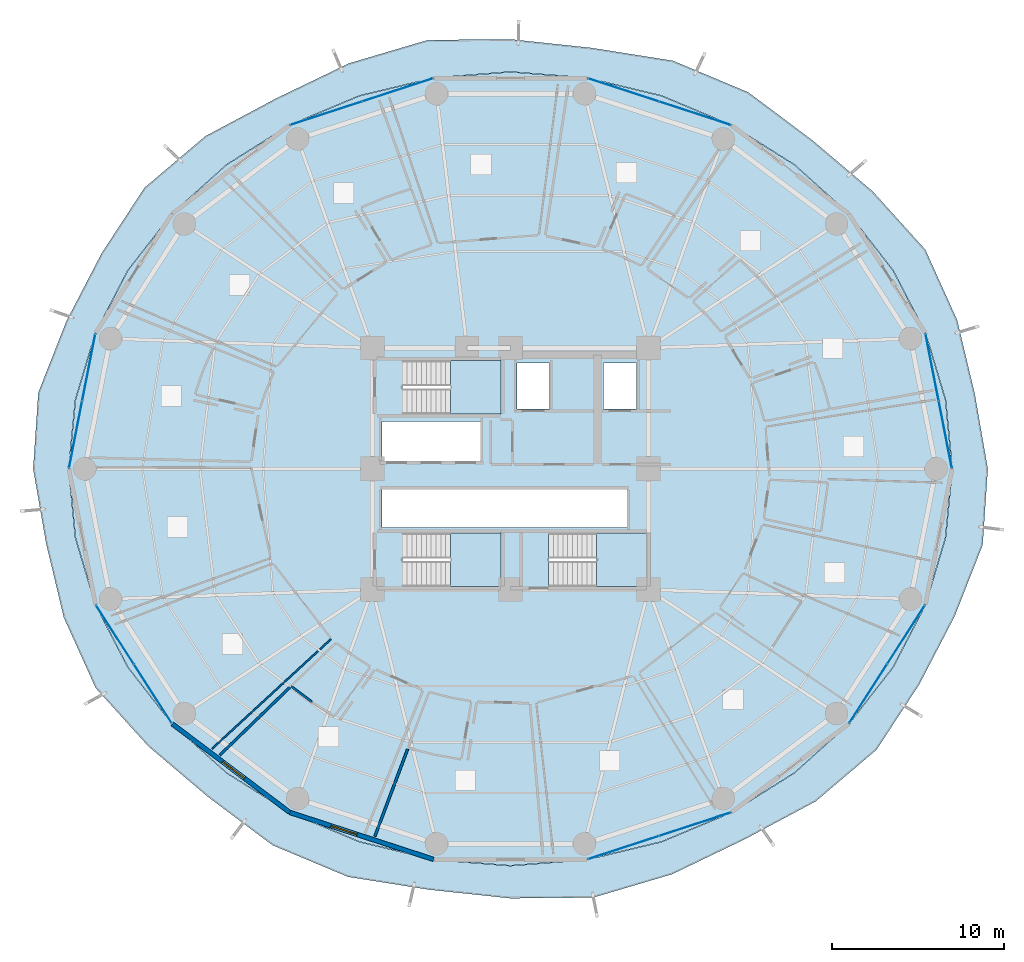
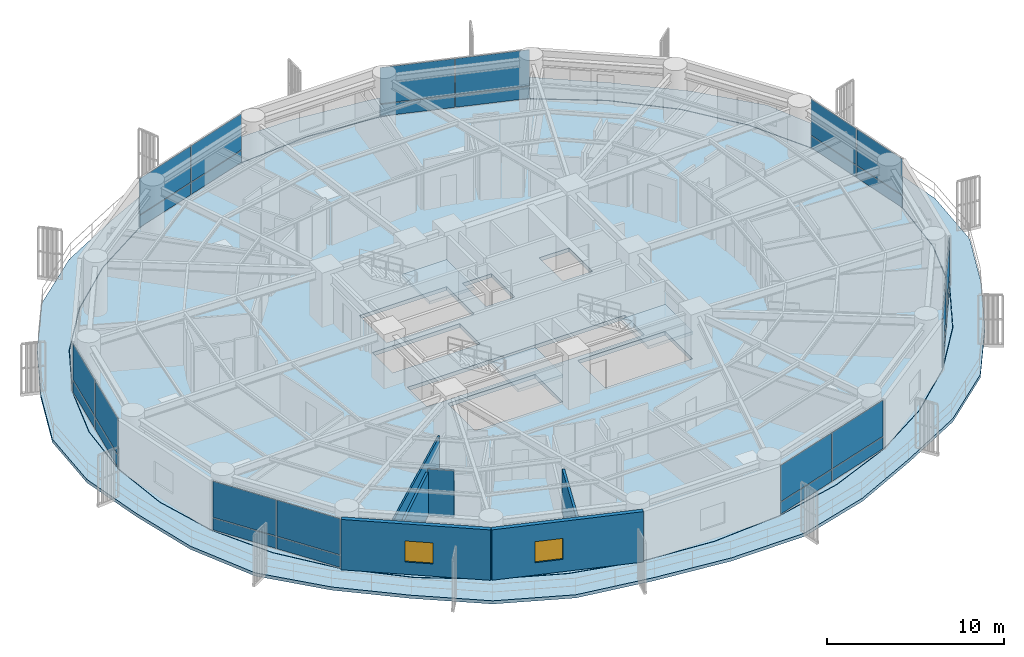
# One storey, part 24 of 33: 28 plates, 6 walls, 5 slabs, 2 windows, 2 openings, 10 elements without a shape of their own.
"""IFC4 building model written with IfcOpenShell, lengths in metres."""

from ifc_helpers import new_model, si_unit, direction, frame, frame_2d, origin, origin_2d, place, context, subcontext, project, spatial, polyline, rectangle, outline, extrude, source, transform, mapped, material, layer, layer_set, type_object, element, fill, aggregate, save


model = new_model("IFC4")

# Units and contexts
model_context = context("Model", 3, precision=1e-05, world=origin(), true_north=direction((0.0, 1.0)))
body_context = subcontext(model_context, "Body", "Model", "MODEL_VIEW")
ifc_project = project(units=[si_unit("LENGTHUNIT", "METRE"), si_unit("AREAUNIT", "SQUARE_METRE"), si_unit("VOLUMEUNIT", "CUBIC_METRE"), si_unit("PLANEANGLEUNIT", "RADIAN"), si_unit("MASSUNIT", "GRAM", prefix="KILO")], contexts=[model_context])

# Site, building, storey
site_placement = place(None, origin())
site = spatial("IfcSite", under=ifc_project, at=site_placement, CompositionType="ELEMENT")
building_placement = place(site_placement, origin())
building = spatial("IfcBuilding", under=site, at=building_placement, Name="Kelanora Arch Commons", CompositionType="ELEMENT")
storey_placement = place(building_placement, frame((0.0, 0.0, 80.10009765625)))
storey = spatial("IfcBuildingStorey", under=building, at=storey_placement, Name="L20", CompositionType="ELEMENT", Elevation=80.10009765625)

# Stair, slab
ifc_material_1 = material(Name="Concrete C40/50", Category="concrete")
stair_type = type_object("IfcStairType", Name="STR-DL-375", PredefinedType="HALF_TURN_STAIR", material=ifc_material_1)
stair_1_placement = place(storey_placement, origin())
stair_1 = element("IfcStair", 1, at=stair_1_placement, inside=storey, type_object=stair_type, Name="L20 ST-T1", PredefinedType="HALF_TURN_STAIR")
ifc_layer_1 = layer(ifc_material_1, 0.199951171875)
ifc_layer_set_1 = layer_set([ifc_layer_1], Name="Concrete C40/50")
slab_type_1 = type_object("IfcSlabType", Name="SLB-STAIR-LND", PredefinedType="LANDING", material=ifc_layer_set_1)
slab_1_placement = place(storey_placement, frame((0.0, 0.0, 1.6748046875)))
slab_1 = element("IfcSlab", 2, at=slab_1_placement, type_object=slab_type_1, Name="ST-T1 landing 1", PredefinedType="LANDING", context=body_context, shape_type="SweptSolid", body=[
    extrude(outline(polyline([(70.52001953125, 61.179931640625), (73.43994140625, 61.179931640625), (73.43994140625, 64.2900390625), (70.52001953125, 64.2900390625), (70.52001953125, 61.179931640625)])), origin(), (0.0, 0.0, 1.0), 0.2001953125),
])
aggregate(stair_1, [slab_1])

stair_2_placement = place(storey_placement, origin())
stair_2 = element("IfcStair", 3, at=stair_2_placement, inside=storey, type_object=stair_type, Name="L20 ST-T2", PredefinedType="HALF_TURN_STAIR")
slab_2_placement = place(storey_placement, frame((0.0, 0.0, 1.6748046875)))
slab_2 = element("IfcSlab", 4, at=slab_2_placement, type_object=slab_type_1, Name="ST-T2 landing 1", PredefinedType="LANDING", context=body_context, shape_type="SweptSolid", body=[
    extrude(outline(polyline([(79.0, 51.179931640625), (81.919921875, 51.179931640625), (81.919921875, 54.2900390625), (79.0, 54.2900390625), (79.0, 51.179931640625)])), origin(), (0.0, 0.0, 1.0), 0.2001953125),
])
aggregate(stair_2, [slab_2])

stair_3_placement = place(storey_placement, origin())
stair_3 = element("IfcStair", 5, at=stair_3_placement, inside=storey, type_object=stair_type, Name="L20 ST-T3", PredefinedType="HALF_TURN_STAIR")
slab_3_placement = place(storey_placement, frame((0.0, 0.0, 1.6748046875)))
slab_3 = element("IfcSlab", 6, at=slab_3_placement, type_object=slab_type_1, Name="ST-T3 landing 1", PredefinedType="LANDING", context=body_context, shape_type="SweptSolid", body=[
    extrude(outline(polyline([(70.52001953125, 51.179931640625), (73.43994140625, 51.179931640625), (73.43994140625, 54.2900390625), (70.52001953125, 54.2900390625), (70.52001953125, 51.179931640625)])), origin(), (0.0, 0.0, 1.0), 0.2001953125),
])
aggregate(stair_3, [slab_3])

# Slabs
ifc_layer_2 = layer(ifc_material_1, 0.260009765625)
ifc_layer_set_2 = layer_set([ifc_layer_2], Name="Concrete C40/50")
slab_type_2 = type_object("IfcSlabType", Name="SLB-TWR-TYP", PredefinedType="FLOOR", material=ifc_layer_set_2)
slab_4_placement = place(storey_placement, frame((0.0, 0.0, -0.260009765625)))
element("IfcSlab", 7, at=slab_4_placement, inside=storey, type_object=slab_type_2, Name="Tower Floor Slab L20", PredefinedType="FLOOR", context=body_context, shape_type="SweptSolid", body=[
    extrude(outline(polyline([(99.60009765625, 58.0), (99.211181640625, 61.993896484375), (98.05615234375, 65.866455078125), (96.17041015625, 69.5), (93.610595703125, 72.7841796875), (90.455322265625, 75.618896484375), (86.800048828125, 77.918701171875), (82.755615234375, 79.61279296875), (78.4453125, 80.650634765625), (74.0, 81.0), (69.5546875, 80.650634765625), (65.244384765625, 79.61279296875), (61.199951171875, 77.918701171875), (57.544677734375, 75.618896484375), (54.389404296875, 72.7841796875), (51.82958984375, 69.5), (49.94384765625, 65.866455078125), (48.788818359375, 61.993896484375), (48.39990234375, 58.0), (48.788818359375, 54.006103515625), (49.94384765625, 50.133544921875), (51.82958984375, 46.5), (54.389404296875, 43.2158203125), (57.544677734375, 40.381103515625), (61.199951171875, 38.081298828125), (65.244384765625, 36.38720703125), (69.5546875, 35.349365234375), (74.0, 35.0), (78.4453125, 35.349365234375), (82.755615234375, 36.38720703125), (86.800048828125, 38.081298828125), (90.455322265625, 40.381103515625), (93.610595703125, 43.2158203125), (96.17041015625, 46.5), (98.05615234375, 50.133544921875), (99.211181640625, 54.006103515625), (99.60009765625, 58.0)]), holes=[polyline([(73.431884765625, 51.18798828125), (67.72802734375, 51.18798828125), (67.72802734375, 54.281982421875), (73.431884765625, 54.281982421875), (73.431884765625, 51.18798828125)]), polyline([(76.2080078125, 51.18798828125), (76.2080078125, 54.281982421875), (81.912109375, 54.281982421875), (81.912109375, 51.18798828125), (76.2080078125, 51.18798828125)]), polyline([(66.550048828125, 54.60009765625), (66.550048828125, 56.800048828125), (80.75, 56.800048828125), (80.75, 54.60009765625), (66.550048828125, 54.60009765625)]), polyline([(66.550048828125, 58.449951171875), (66.550048828125, 60.75), (72.25, 60.75), (72.25, 58.449951171875), (66.550048828125, 58.449951171875)]), polyline([(67.72802734375, 61.18798828125), (67.72802734375, 64.281982421875), (73.431884765625, 64.281982421875), (73.431884765625, 61.18798828125), (67.72802734375, 61.18798828125)]), polyline([(74.3798828125, 61.47998046875), (74.3798828125, 64.1201171875), (76.260009765625, 64.1201171875), (76.260009765625, 61.47998046875), (74.3798828125, 61.47998046875)]), polyline([(79.3798828125, 61.47998046875), (79.3798828125, 64.1201171875), (81.320068359375, 64.1201171875), (81.320068359375, 61.47998046875), (79.3798828125, 61.47998046875)])]), origin(), (0.0, 0.0, 1.0), 0.260009765625),
])
ifc_layer_3 = layer(ifc_material_1, 0.219970703125)
ifc_layer_set_3 = layer_set([ifc_layer_3], Name="Concrete C40/50")
slab_type_3 = type_object("IfcSlabType", Name="SLB-WAVE-BAL", PredefinedType="FLOOR", material=ifc_layer_set_3)
slab_5_placement = place(storey_placement, frame((0.0, 0.0, -0.22021484375)))
element("IfcSlab", 8, at=slab_5_placement, inside=storey, type_object=slab_type_3, Name="Sinusoidal Wave Balcony Slab L20", PredefinedType="FLOOR", context=body_context, shape_type="SweptSolid", body=[
    extrude(outline(polyline([(101.67236328125, 58.0), (100.919189453125, 62.3291015625), (99.897705078125, 66.612548828125), (98.048828125, 70.707275390625), (95.000244140625, 74.081787109375), (91.52099609375, 77.03271484375), (87.788818359375, 79.824951171875), (83.423095703125, 81.654296875), (78.722412109375, 82.399169921875), (74.0, 82.9013671875), (69.205078125, 82.856201171875), (64.626708984375, 81.50146484375), (60.3984375, 79.4638671875), (56.297119140625, 77.27392578125), (52.77880859375, 74.2880859375), (50.29345703125, 70.4873046875), (48.251220703125, 66.55224609375), (46.626708984375, 62.418212890625), (46.32763671875, 58.0), (47.080810546875, 53.6708984375), (48.102294921875, 49.387451171875), (49.951171875, 45.292724609375), (52.999755859375, 41.918212890625), (56.47900390625, 38.96728515625), (60.211181640625, 36.175048828125), (64.576904296875, 34.345703125), (69.277587890625, 33.600830078125), (74.0, 33.0986328125), (78.794921875, 33.143798828125), (83.373291015625, 34.49853515625), (87.6015625, 36.5361328125), (91.702880859375, 38.72607421875), (95.22119140625, 41.7119140625), (97.70654296875, 45.5126953125), (99.748779296875, 49.44775390625), (101.373291015625, 53.581787109375), (101.67236328125, 58.0)]), holes=[polyline([(99.230712890625, 54.002685546875), (98.074951171875, 50.126708984375), (96.1875, 46.489990234375), (93.626220703125, 43.202880859375), (90.46826171875, 40.36572265625), (86.81005859375, 38.064208984375), (82.7626953125, 36.368408203125), (78.448974609375, 35.32958984375), (74.0, 34.97998046875), (69.551025390625, 35.32958984375), (65.2373046875, 36.368408203125), (61.18994140625, 38.064208984375), (57.53173828125, 40.36572265625), (54.373779296875, 43.202880859375), (51.8125, 46.489990234375), (49.925048828125, 50.126708984375), (48.769287109375, 54.002685546875), (48.3798828125, 58.0), (48.769287109375, 61.997314453125), (49.925048828125, 65.873291015625), (51.8125, 69.510009765625), (54.373779296875, 72.797119140625), (57.53173828125, 75.63427734375), (61.18994140625, 77.935791015625), (65.2373046875, 79.631591796875), (69.551025390625, 80.67041015625), (74.0, 81.02001953125), (78.448974609375, 80.67041015625), (82.7626953125, 79.631591796875), (86.81005859375, 77.935791015625), (90.46826171875, 75.63427734375), (93.626220703125, 72.797119140625), (96.1875, 69.510009765625), (98.074951171875, 65.873291015625), (99.230712890625, 61.997314453125), (99.6201171875, 58.0), (99.230712890625, 54.002685546875)])]), origin(), (0.0, 0.0, 1.0), 0.22021484375),
])

# Curtain wall, plates
ifc_material_2 = material(Name="Terracotta ceramic-fritted low-E glass and aluminium", Category="masonry")
ifc_layer_4 = layer(ifc_material_2, 0.159912109375)
ifc_layer_set_4 = layer_set([ifc_layer_4], Name="Terracotta ceramic-fritted low-E glass and aluminium")
curtain_wall_type = type_object("IfcCurtainWallType", Name="CW-SYS-01", PredefinedType="NOTDEFINED", material=ifc_layer_set_4)
curtain_wall_1_placement = place(storey_placement, origin())
curtain_wall_1 = element("IfcCurtainWall", 9, at=curtain_wall_1_placement, inside=storey, type_object=curtain_wall_type, Name="Unitised Curtain Wall L20-B00", PredefinedType="NOTDEFINED")
ifc_material_3 = material(Name="Terracotta ceramic-fritted double glazing", Category="masonry")
ifc_layer_5 = layer(ifc_material_3, 0.028076171875)
ifc_layer_set_5 = layer_set([ifc_layer_5], Name="Terracotta ceramic-fritted double glazing")
plate_type = type_object("IfcPlateType", Name="CWP-FRIT", PredefinedType="CURTAIN_PANEL", material=ifc_layer_set_5)
shared_shape_1 = source(origin(), body_context, "Body", "SweptSolid", [
    extrude(rectangle(XDim=3.9033203125, YDim=0.028076171875, at=origin_2d()), origin(), (0.0, 0.0, 1.0), 0.81005859375),
])
plate_1_placement = place(storey_placement, frame((99.209716796875, 59.98876953125, 0.059814453125), z_axis=(0.0, 0.0, 1.0), x_axis=(-0.192584916272, 0.981280311646, 0.0)))
plate_1 = element("IfcPlate", 10, at=plate_1_placement, type_object=plate_type, Name="CW-01 panel 1.1", PredefinedType="CURTAIN_PANEL", context=body_context, shape_type="MappedRepresentation", body=[
    mapped(shared_shape_1, transform((0.0, 0.0, 0.0), scale=1.0)),
])
plate_2_placement = place(storey_placement, frame((98.446533203125, 63.877685546875, 0.059814453125), z_axis=(0.0, 0.0, 1.0), x_axis=(-0.192584916272, 0.981280311646, 0.0)))
plate_2 = element("IfcPlate", 11, at=plate_2_placement, type_object=plate_type, Name="CW-01 panel 2.1", PredefinedType="CURTAIN_PANEL", context=body_context, shape_type="MappedRepresentation", body=[
    mapped(shared_shape_1, transform((0.0, 0.0, 0.0), scale=1.0)),
])

curtain_wall_2_placement = place(storey_placement, origin())
curtain_wall_2 = element("IfcCurtainWall", 12, at=curtain_wall_2_placement, inside=storey, type_object=curtain_wall_type, Name="Unitised Curtain Wall L20-B08", PredefinedType="NOTDEFINED")
plate_3_placement = place(storey_placement, frame((49.553466796875, 63.877685546875, 0.059814453125), z_axis=(0.0, 0.0, 1.0), x_axis=(-0.192584916272, -0.981280311646, 0.0)))
plate_3 = element("IfcPlate", 13, at=plate_3_placement, type_object=plate_type, Name="CW-01 panel 1.1", PredefinedType="CURTAIN_PANEL", context=body_context, shape_type="MappedRepresentation", body=[
    mapped(shared_shape_1, transform((0.0, 0.0, 0.0), scale=1.0)),
])
plate_4_placement = place(storey_placement, frame((48.790283203125, 59.98876953125, 0.059814453125), z_axis=(0.0, 0.0, 1.0), x_axis=(-0.192584916272, -0.981280311646, 0.0)))
plate_4 = element("IfcPlate", 14, at=plate_4_placement, type_object=plate_type, Name="CW-01 panel 2.1", PredefinedType="CURTAIN_PANEL", context=body_context, shape_type="MappedRepresentation", body=[
    mapped(shared_shape_1, transform((0.0, 0.0, 0.0), scale=1.0)),
])

# Plate
shared_shape_2 = source(origin(), body_context, "Body", "SweptSolid", [
    extrude(rectangle(XDim=3.9033203125, YDim=0.028076171875, at=origin_2d()), origin(), (0.0, 0.0, 1.0), 2.485107421875),
])
plate_5_placement = place(storey_placement, frame((99.209716796875, 59.98876953125, 0.9296875), z_axis=(0.0, 0.0, 1.0), x_axis=(-0.192584916272, 0.981280311646, 0.0)))
plate_5 = element("IfcPlate", 15, at=plate_5_placement, type_object=plate_type, Name="CW-01 panel 1.2", PredefinedType="CURTAIN_PANEL", context=body_context, shape_type="MappedRepresentation", body=[
    mapped(shared_shape_2, transform((0.0, 0.0, 0.0), scale=1.0)),
])

plate_6_placement = place(storey_placement, frame((98.446533203125, 63.877685546875, 0.9296875), z_axis=(0.0, 0.0, 1.0), x_axis=(-0.192584916272, 0.981280311646, 0.0)))
plate_6 = element("IfcPlate", 16, at=plate_6_placement, type_object=plate_type, Name="CW-01 panel 2.2", PredefinedType="CURTAIN_PANEL", context=body_context, shape_type="MappedRepresentation", body=[
    mapped(shared_shape_2, transform((0.0, 0.0, 0.0), scale=1.0)),
])

aggregate(curtain_wall_1, [plate_1, plate_5, plate_2, plate_6])

plate_7_placement = place(storey_placement, frame((49.553466796875, 63.877685546875, 0.9296875), z_axis=(0.0, 0.0, 1.0), x_axis=(-0.192584916272, -0.981280311646, 0.0)))
plate_7 = element("IfcPlate", 17, at=plate_7_placement, type_object=plate_type, Name="CW-01 panel 1.2", PredefinedType="CURTAIN_PANEL", context=body_context, shape_type="MappedRepresentation", body=[
    mapped(shared_shape_2, transform((0.0, 0.0, 0.0), scale=1.0)),
])

plate_8_placement = place(storey_placement, frame((48.790283203125, 59.98876953125, 0.9296875), z_axis=(0.0, 0.0, 1.0), x_axis=(-0.192584916272, -0.981280311646, 0.0)))
plate_8 = element("IfcPlate", 18, at=plate_8_placement, type_object=plate_type, Name="CW-01 panel 2.2", PredefinedType="CURTAIN_PANEL", context=body_context, shape_type="MappedRepresentation", body=[
    mapped(shared_shape_2, transform((0.0, 0.0, 0.0), scale=1.0)),
])

aggregate(curtain_wall_2, [plate_3, plate_7, plate_4, plate_8])

# Curtain wall, plates
curtain_wall_3_placement = place(storey_placement, origin())
curtain_wall_3 = element("IfcCurtainWall", 19, at=curtain_wall_3_placement, inside=storey, type_object=curtain_wall_type, Name="Unitised Curtain Wall L20-B03", PredefinedType="NOTDEFINED")
shared_shape_3 = source(origin(), body_context, "Body", "SweptSolid", [
    extrude(rectangle(XDim=4.2900390625, YDim=0.028076171875, at=origin_2d()), origin(), (0.0, 0.0, 1.0), 0.81005859375),
])
plate_9_placement = place(storey_placement, frame((84.68994140625, 78.608642578125, 0.059814453125), z_axis=(0.0, 0.0, 1.0), x_axis=(-0.950473795867, 0.31080470294, 0.0)))
plate_9 = element("IfcPlate", 20, at=plate_9_placement, type_object=plate_type, Name="CW-01 panel 1.1", PredefinedType="CURTAIN_PANEL", context=body_context, shape_type="MappedRepresentation", body=[
    mapped(shared_shape_3, transform((0.0, 0.0, 0.0), scale=1.0)),
])
plate_10_placement = place(storey_placement, frame((80.555419921875, 79.960693359375, 0.059814453125), z_axis=(0.0, 0.0, 1.0), x_axis=(-0.950473795867, 0.31080470294, 0.0)))
plate_10 = element("IfcPlate", 21, at=plate_10_placement, type_object=plate_type, Name="CW-01 panel 2.1", PredefinedType="CURTAIN_PANEL", context=body_context, shape_type="MappedRepresentation", body=[
    mapped(shared_shape_3, transform((0.0, 0.0, 0.0), scale=1.0)),
])

curtain_wall_4_placement = place(storey_placement, origin())
curtain_wall_4 = element("IfcCurtainWall", 22, at=curtain_wall_4_placement, inside=storey, type_object=curtain_wall_type, Name="Unitised Curtain Wall L20-B05", PredefinedType="NOTDEFINED")
plate_11_placement = place(storey_placement, frame((67.444580078125, 79.960693359375, 0.059814453125), z_axis=(0.0, 0.0, 1.0), x_axis=(-0.950473795867, -0.31080470294, 0.0)))
plate_11 = element("IfcPlate", 23, at=plate_11_placement, type_object=plate_type, Name="CW-01 panel 1.1", PredefinedType="CURTAIN_PANEL", context=body_context, shape_type="MappedRepresentation", body=[
    mapped(shared_shape_3, transform((0.0, 0.0, 0.0), scale=1.0)),
])
plate_12_placement = place(storey_placement, frame((63.31005859375, 78.608642578125, 0.059814453125), z_axis=(0.0, 0.0, 1.0), x_axis=(-0.950473795867, -0.31080470294, 0.0)))
plate_12 = element("IfcPlate", 24, at=plate_12_placement, type_object=plate_type, Name="CW-01 panel 2.1", PredefinedType="CURTAIN_PANEL", context=body_context, shape_type="MappedRepresentation", body=[
    mapped(shared_shape_3, transform((0.0, 0.0, 0.0), scale=1.0)),
])

curtain_wall_5_placement = place(storey_placement, origin())
curtain_wall_5 = element("IfcCurtainWall", 25, at=curtain_wall_5_placement, inside=storey, type_object=curtain_wall_type, Name="Unitised Curtain Wall L20-B14", PredefinedType="NOTDEFINED")
plate_13_placement = place(storey_placement, frame((80.555419921875, 36.039306640625, 0.059814453125), z_axis=(0.0, 0.0, 1.0), x_axis=(0.950473795867, 0.31080470294, 0.0)))
plate_13 = element("IfcPlate", 26, at=plate_13_placement, type_object=plate_type, Name="CW-01 panel 1.1", PredefinedType="CURTAIN_PANEL", context=body_context, shape_type="MappedRepresentation", body=[
    mapped(shared_shape_3, transform((0.0, 0.0, 0.0), scale=1.0)),
])
plate_14_placement = place(storey_placement, frame((84.68994140625, 37.391357421875, 0.059814453125), z_axis=(0.0, 0.0, 1.0), x_axis=(0.950473795867, 0.31080470294, 0.0)))
plate_14 = element("IfcPlate", 27, at=plate_14_placement, type_object=plate_type, Name="CW-01 panel 2.1", PredefinedType="CURTAIN_PANEL", context=body_context, shape_type="MappedRepresentation", body=[
    mapped(shared_shape_3, transform((0.0, 0.0, 0.0), scale=1.0)),
])

# Plate
shared_shape_4 = source(origin(), body_context, "Body", "SweptSolid", [
    extrude(rectangle(XDim=4.2900390625, YDim=0.028076171875, at=origin_2d()), origin(), (0.0, 0.0, 1.0), 2.485107421875),
])
plate_15_placement = place(storey_placement, frame((84.68994140625, 78.608642578125, 0.9296875), z_axis=(0.0, 0.0, 1.0), x_axis=(-0.950473795867, 0.31080470294, 0.0)))
plate_15 = element("IfcPlate", 28, at=plate_15_placement, type_object=plate_type, Name="CW-01 panel 1.2", PredefinedType="CURTAIN_PANEL", context=body_context, shape_type="MappedRepresentation", body=[
    mapped(shared_shape_4, transform((0.0, 0.0, 0.0), scale=1.0)),
])

plate_16_placement = place(storey_placement, frame((80.555419921875, 79.960693359375, 0.9296875), z_axis=(0.0, 0.0, 1.0), x_axis=(-0.950473795867, 0.31080470294, 0.0)))
plate_16 = element("IfcPlate", 29, at=plate_16_placement, type_object=plate_type, Name="CW-01 panel 2.2", PredefinedType="CURTAIN_PANEL", context=body_context, shape_type="MappedRepresentation", body=[
    mapped(shared_shape_4, transform((0.0, 0.0, 0.0), scale=1.0)),
])

aggregate(curtain_wall_3, [plate_9, plate_15, plate_10, plate_16])

plate_17_placement = place(storey_placement, frame((67.444580078125, 79.960693359375, 0.9296875), z_axis=(0.0, 0.0, 1.0), x_axis=(-0.950473795867, -0.31080470294, 0.0)))
plate_17 = element("IfcPlate", 30, at=plate_17_placement, type_object=plate_type, Name="CW-01 panel 1.2", PredefinedType="CURTAIN_PANEL", context=body_context, shape_type="MappedRepresentation", body=[
    mapped(shared_shape_4, transform((0.0, 0.0, 0.0), scale=1.0)),
])

plate_18_placement = place(storey_placement, frame((63.31005859375, 78.608642578125, 0.9296875), z_axis=(0.0, 0.0, 1.0), x_axis=(-0.950473795867, -0.31080470294, 0.0)))
plate_18 = element("IfcPlate", 31, at=plate_18_placement, type_object=plate_type, Name="CW-01 panel 2.2", PredefinedType="CURTAIN_PANEL", context=body_context, shape_type="MappedRepresentation", body=[
    mapped(shared_shape_4, transform((0.0, 0.0, 0.0), scale=1.0)),
])

aggregate(curtain_wall_4, [plate_11, plate_17, plate_12, plate_18])

plate_19_placement = place(storey_placement, frame((80.555419921875, 36.039306640625, 0.9296875), z_axis=(0.0, 0.0, 1.0), x_axis=(0.950473795867, 0.31080470294, 0.0)))
plate_19 = element("IfcPlate", 32, at=plate_19_placement, type_object=plate_type, Name="CW-01 panel 1.2", PredefinedType="CURTAIN_PANEL", context=body_context, shape_type="MappedRepresentation", body=[
    mapped(shared_shape_4, transform((0.0, 0.0, 0.0), scale=1.0)),
])

plate_20_placement = place(storey_placement, frame((84.68994140625, 37.391357421875, 0.9296875), z_axis=(0.0, 0.0, 1.0), x_axis=(0.950473795867, 0.31080470294, 0.0)))
plate_20 = element("IfcPlate", 33, at=plate_20_placement, type_object=plate_type, Name="CW-01 panel 2.2", PredefinedType="CURTAIN_PANEL", context=body_context, shape_type="MappedRepresentation", body=[
    mapped(shared_shape_4, transform((0.0, 0.0, 0.0), scale=1.0)),
])

aggregate(curtain_wall_5, [plate_13, plate_19, plate_14, plate_20])

# Curtain wall, plates
curtain_wall_6_placement = place(storey_placement, origin())
curtain_wall_6 = element("IfcCurtainWall", 34, at=curtain_wall_6_placement, inside=storey, type_object=curtain_wall_type, Name="Unitised Curtain Wall L20-B10", PredefinedType="NOTDEFINED")
shared_shape_5 = source(origin(), body_context, "Body", "SweptSolid", [
    extrude(rectangle(XDim=4.00634765625, YDim=0.028076171875, at=origin_2d()), origin(), (0.0, 0.0, 1.0), 0.81005859375),
])
plate_21_placement = place(storey_placement, frame((51.0673828125, 48.38525390625, 0.059814453125), z_axis=(0.0, 0.0, 1.0), x_axis=(0.540616931244, -0.841268883088, 0.0)))
plate_21 = element("IfcPlate", 35, at=plate_21_placement, type_object=plate_type, Name="CW-01 panel 1.1", PredefinedType="CURTAIN_PANEL", context=body_context, shape_type="MappedRepresentation", body=[
    mapped(shared_shape_5, transform((0.0, 0.0, 0.0), scale=1.0)),
])
plate_22_placement = place(storey_placement, frame((53.265869140625, 44.964111328125, 0.059814453125), z_axis=(0.0, 0.0, 1.0), x_axis=(0.540616931244, -0.841268883088, 0.0)))
plate_22 = element("IfcPlate", 36, at=plate_22_placement, type_object=plate_type, Name="CW-01 panel 2.1", PredefinedType="CURTAIN_PANEL", context=body_context, shape_type="MappedRepresentation", body=[
    mapped(shared_shape_5, transform((0.0, 0.0, 0.0), scale=1.0)),
])

curtain_wall_7_placement = place(storey_placement, origin())
curtain_wall_7 = element("IfcCurtainWall", 37, at=curtain_wall_7_placement, inside=storey, type_object=curtain_wall_type, Name="Unitised Curtain Wall L20-B16", PredefinedType="NOTDEFINED")
plate_23_placement = place(storey_placement, frame((94.734130859375, 44.964111328125, 0.059814453125), z_axis=(0.0, 0.0, 1.0), x_axis=(0.540616931244, 0.841268883088, 0.0)))
plate_23 = element("IfcPlate", 38, at=plate_23_placement, type_object=plate_type, Name="CW-01 panel 1.1", PredefinedType="CURTAIN_PANEL", context=body_context, shape_type="MappedRepresentation", body=[
    mapped(shared_shape_5, transform((0.0, 0.0, 0.0), scale=1.0)),
])
plate_24_placement = place(storey_placement, frame((96.9326171875, 48.38525390625, 0.059814453125), z_axis=(0.0, 0.0, 1.0), x_axis=(0.540616931244, 0.841268883088, 0.0)))
plate_24 = element("IfcPlate", 39, at=plate_24_placement, type_object=plate_type, Name="CW-01 panel 2.1", PredefinedType="CURTAIN_PANEL", context=body_context, shape_type="MappedRepresentation", body=[
    mapped(shared_shape_5, transform((0.0, 0.0, 0.0), scale=1.0)),
])

# Plate
shared_shape_6 = source(origin(), body_context, "Body", "SweptSolid", [
    extrude(rectangle(XDim=4.00634765625, YDim=0.028076171875, at=origin_2d()), origin(), (0.0, 0.0, 1.0), 2.485107421875),
])
plate_25_placement = place(storey_placement, frame((51.0673828125, 48.38525390625, 0.9296875), z_axis=(0.0, 0.0, 1.0), x_axis=(0.540616931244, -0.841268883088, 0.0)))
plate_25 = element("IfcPlate", 40, at=plate_25_placement, type_object=plate_type, Name="CW-01 panel 1.2", PredefinedType="CURTAIN_PANEL", context=body_context, shape_type="MappedRepresentation", body=[
    mapped(shared_shape_6, transform((0.0, 0.0, 0.0), scale=1.0)),
])

plate_26_placement = place(storey_placement, frame((53.265869140625, 44.964111328125, 0.9296875), z_axis=(0.0, 0.0, 1.0), x_axis=(0.540616931244, -0.841268883088, 0.0)))
plate_26 = element("IfcPlate", 41, at=plate_26_placement, type_object=plate_type, Name="CW-01 panel 2.2", PredefinedType="CURTAIN_PANEL", context=body_context, shape_type="MappedRepresentation", body=[
    mapped(shared_shape_6, transform((0.0, 0.0, 0.0), scale=1.0)),
])

aggregate(curtain_wall_6, [plate_21, plate_25, plate_22, plate_26])

plate_27_placement = place(storey_placement, frame((94.734130859375, 44.964111328125, 0.9296875), z_axis=(0.0, 0.0, 1.0), x_axis=(0.540616931244, 0.841268883088, 0.0)))
plate_27 = element("IfcPlate", 42, at=plate_27_placement, type_object=plate_type, Name="CW-01 panel 1.2", PredefinedType="CURTAIN_PANEL", context=body_context, shape_type="MappedRepresentation", body=[
    mapped(shared_shape_6, transform((0.0, 0.0, 0.0), scale=1.0)),
])

plate_28_placement = place(storey_placement, frame((96.9326171875, 48.38525390625, 0.9296875), z_axis=(0.0, 0.0, 1.0), x_axis=(0.540616931244, 0.841268883088, 0.0)))
plate_28 = element("IfcPlate", 43, at=plate_28_placement, type_object=plate_type, Name="CW-01 panel 2.2", PredefinedType="CURTAIN_PANEL", context=body_context, shape_type="MappedRepresentation", body=[
    mapped(shared_shape_6, transform((0.0, 0.0, 0.0), scale=1.0)),
])

aggregate(curtain_wall_7, [plate_23, plate_27, plate_24, plate_28])

# Walls
ifc_material_4 = material(Name="Autoclaved aerated concrete blockwork with fire plaster", Category="masonry")
ifc_layer_6 = layer(ifc_material_4, 0.14990234375)
ifc_layer_set_6 = layer_set([ifc_layer_6], Name="Autoclaved aerated concrete blockwork with fire plaster")
wall_type_1 = type_object("IfcWallType", Name="W-COMP-150", PredefinedType="PARTITIONING", material=ifc_layer_set_6)
wall_1_placement = place(storey_placement, frame((57.149658203125, 41.40087890625, 0.0), z_axis=(0.0, 0.0, 1.0), x_axis=(0.718527749954, 0.695498290829, 0.0)))
element("IfcWall", 44, at=wall_1_placement, inside=storey, type_object=wall_type_1, Name="Co-Living Studio L20-10 Enclosure Partition 5", PredefinedType="PARTITIONING", context=body_context, shape_type="SweptSolid", body=[
    extrude(rectangle(XDim=5.6611328125, YDim=0.14990234375, at=frame_2d((2.83056640625, 0.0))), origin(), (0.0, 0.0, 1.0), 2.974853515625),
])
wall_2_placement = place(storey_placement, frame((66.13916015625, 36.6943359375, 0.0), z_axis=(0.0, 0.0, 1.0), x_axis=(0.351589591196, 0.936154239088, 0.0)))
element("IfcWall", 45, at=wall_2_placement, inside=storey, type_object=wall_type_1, Name="Co-Living Studio L20-11 Enclosure Partition 5", PredefinedType="PARTITIONING", context=body_context, shape_type="SweptSolid", body=[
    extrude(rectangle(XDim=5.394775390625, YDim=0.14990234375, at=frame_2d((2.697265625, 0.0))), origin(), (0.0, 0.0, 1.0), 2.974853515625),
])

# Wall, opening, window
ifc_material_5 = material(Name="Precast concrete C40/50 with terracotta rainscreen", Category="masonry")
ifc_layer_7 = layer(ifc_material_5, 0.260009765625)
ifc_layer_set_7 = layer_set([ifc_layer_7], Name="Precast concrete C40/50 with terracotta rainscreen")
wall_type_2 = type_object("IfcWallType", Name="W-EXT-TC", PredefinedType="SOLIDWALL", material=ifc_layer_set_7)
wall_3_placement = place(storey_placement, frame((54.4013671875, 43.206787109375, 0.0), z_axis=(0.0, 0.0, 1.0), x_axis=(0.798501507879, -0.601992808857, 0.0)))
wall_3 = element("IfcWall", 46, at=wall_3_placement, inside=storey, type_object=wall_type_2, Name="Terracotta Exterior Wall L20-B11", PredefinedType="SOLIDWALL", context=body_context, shape_type="SweptSolid", body=[
    extrude(rectangle(XDim=8.499267578125, YDim=0.260009765625, at=frame_2d((4.24951171875, 0.0))), origin(), (0.0, 0.0, 1.0), 3.474853515625),
])
opening_1_placement = place(wall_3_placement, frame((3.6298828125, 0.0, 0.85009765625)))
opening_1 = element("IfcOpeningElement", 47, at=opening_1_placement, cuts=wall_3, Name="Opening WN-01", PredefinedType="OPENING", context=body_context, shape_type="SweptSolid", body=[
    extrude(rectangle(XDim=1.60009765625, YDim=1.449951171875, at=frame_2d((0.800048828125, 0.72509765625))), frame((0.0, 0.14013671875, 0.0), z_axis=(0.0, -1.0, 0.0), x_axis=(1.0, 0.0, 0.0)), (0.0, 0.0, 1.0), 0.280029296875),
])
ifc_material_6 = material(Name="Terracotta-anodised aluminium frame with operable low-E glazing", Category="masonry")
window_type = type_object("IfcWindowType", Name="WIN-CL-18", PartitioningType="DOUBLE_PANEL_VERTICAL", PredefinedType="WINDOW", material=ifc_material_6)
window_1_placement = place(opening_1_placement, origin())
window_1 = element("IfcWindow", 48, at=window_1_placement, inside=storey, type_object=window_type, Name="Co-Living Operable Window L20-B11", OverallHeight=1.449951171875, OverallWidth=1.60009765625, PartitioningType="SINGLE_PANEL", PredefinedType="WINDOW", context=body_context, shape_type="SweptSolid", body=[
    extrude(rectangle(XDim=1.60009765625, YDim=1.449951171875, at=frame_2d((0.800048828125, 0.72509765625))), frame((0.0, 0.030029296875, 0.0), z_axis=(0.0, -1.0, 0.0), x_axis=(1.0, 0.0, 0.0)), (0.0, 0.0, 1.0), 0.06005859375),
])
fill(opening_1, window_1)

wall_4_placement = place(storey_placement, frame((61.21435546875, 38.07666015625, 0.0), z_axis=(0.0, 0.0, 1.0), x_axis=(0.950471101963, -0.310812941064, 0.0)))
wall_4 = element("IfcWall", 49, at=wall_4_placement, inside=storey, type_object=wall_type_2, Name="Terracotta Exterior Wall L20-B12", PredefinedType="SOLIDWALL", context=body_context, shape_type="SweptSolid", body=[
    extrude(rectangle(XDim=8.759765625, YDim=0.260009765625, at=frame_2d((4.3798828125, 0.0))), origin(), (0.0, 0.0, 1.0), 3.474853515625),
])
opening_2_placement = place(wall_4_placement, frame((2.5, 0.0, 0.85009765625)))
opening_2 = element("IfcOpeningElement", 50, at=opening_2_placement, cuts=wall_4, Name="Opening WN-01", PredefinedType="OPENING", context=body_context, shape_type="SweptSolid", body=[
    extrude(rectangle(XDim=1.60009765625, YDim=1.449951171875, at=frame_2d((0.800048828125, 0.72509765625))), frame((0.0, 0.14013671875, 0.0), z_axis=(0.0, -1.0, 0.0), x_axis=(1.0, 0.0, 0.0)), (0.0, 0.0, 1.0), 0.280029296875),
])
window_2_placement = place(opening_2_placement, origin())
window_2 = element("IfcWindow", 51, at=window_2_placement, inside=storey, type_object=window_type, Name="Co-Living Operable Window L20-B12", OverallHeight=1.449951171875, OverallWidth=1.60009765625, PartitioningType="SINGLE_PANEL", PredefinedType="WINDOW", context=body_context, shape_type="SweptSolid", body=[
    extrude(rectangle(XDim=1.60009765625, YDim=1.449951171875, at=frame_2d((0.800048828125, 0.72509765625))), frame((0.0, 0.030029296875, 0.0), z_axis=(0.0, -1.0, 0.0), x_axis=(1.0, 0.0, 0.0)), (0.0, 0.0, 1.0), 0.06005859375),
])
fill(opening_2, window_2)

# Walls
ifc_material_7 = material(Name="Lightweight fire-rated acoustic stud partition")
ifc_layer_8 = layer(ifc_material_7, 0.10009765625)
ifc_layer_set_8 = layer_set([ifc_layer_8], Name="Lightweight fire-rated acoustic stud partition")
wall_type_3 = type_object("IfcWallType", Name="W-PART-100", PredefinedType="PARTITIONING", material=ifc_layer_set_8)
wall_5_placement = place(storey_placement, frame((63.586669921875, 48.118896484375, 0.0), z_axis=(0.0, 0.0, 1.0), x_axis=(-0.735387084409, -0.677647279995, 0.0)))
element("IfcWall", 52, at=wall_5_placement, inside=storey, type_object=wall_type_3, Name="Communal Dining and Social Hall L20-09 Enclosure Partition 2", PredefinedType="PARTITIONING", context=body_context, shape_type="SweptSolid", body=[
    extrude(rectangle(XDim=9.361328125, YDim=0.10009765625, at=frame_2d((4.6806640625, 0.0))), origin(), (0.0, 0.0, 1.0), 2.974853515625),
])
ifc_material_8 = material(Name="Moisture-resistant fire-rated cement-board plumbing wall")
ifc_layer_9 = layer(ifc_material_8, 0.1298828125)
ifc_layer_set_9 = layer_set([ifc_layer_9], Name="Moisture-resistant fire-rated cement-board plumbing wall")
wall_type_4 = type_object("IfcWallType", Name="W-WET-120", PredefinedType="PLUMBINGWALL", material=ifc_layer_set_9)
wall_6_placement = place(storey_placement, frame((62.47802734375, 44.488037109375, 0.0), z_axis=(0.0, 0.0, 1.0), x_axis=(-0.798935684124, 0.601416471868, 0.0)))
element("IfcWall", 53, at=wall_6_placement, inside=storey, type_object=wall_type_4, Name="En-Suite Shower WC L20-10 Enclosure Partition 5", PredefinedType="PLUMBINGWALL", context=body_context, shape_type="SweptSolid", body=[
    extrude(rectangle(XDim=1.48828125, YDim=0.1298828125, at=frame_2d((0.744140625, 0.0))), origin(), (0.0, 0.0, 1.0), 3.1748046875),
])

save(model, "model.ifc")
